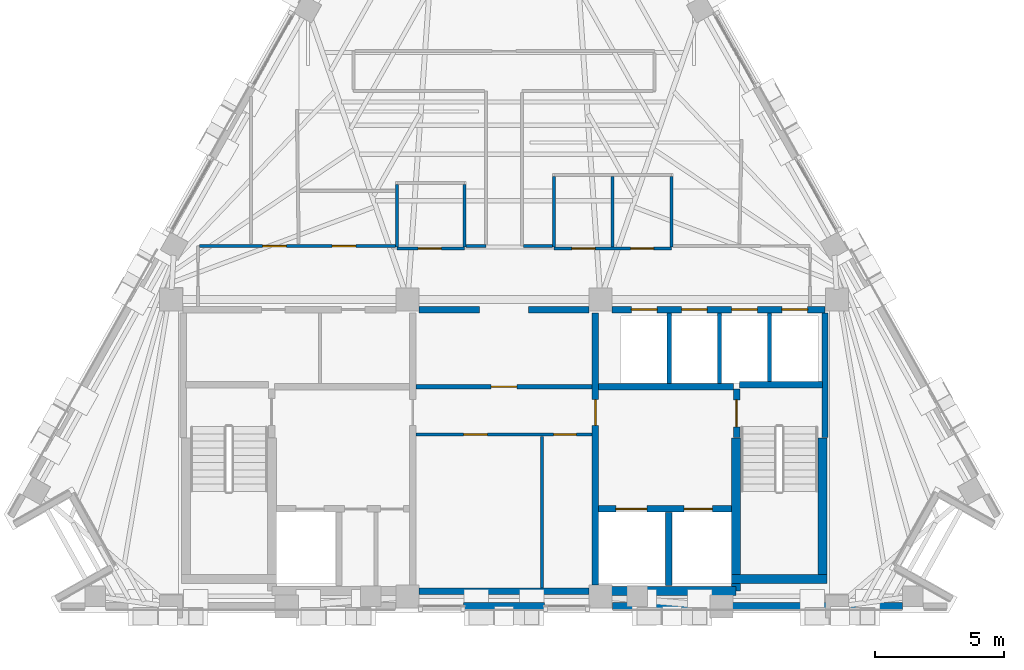
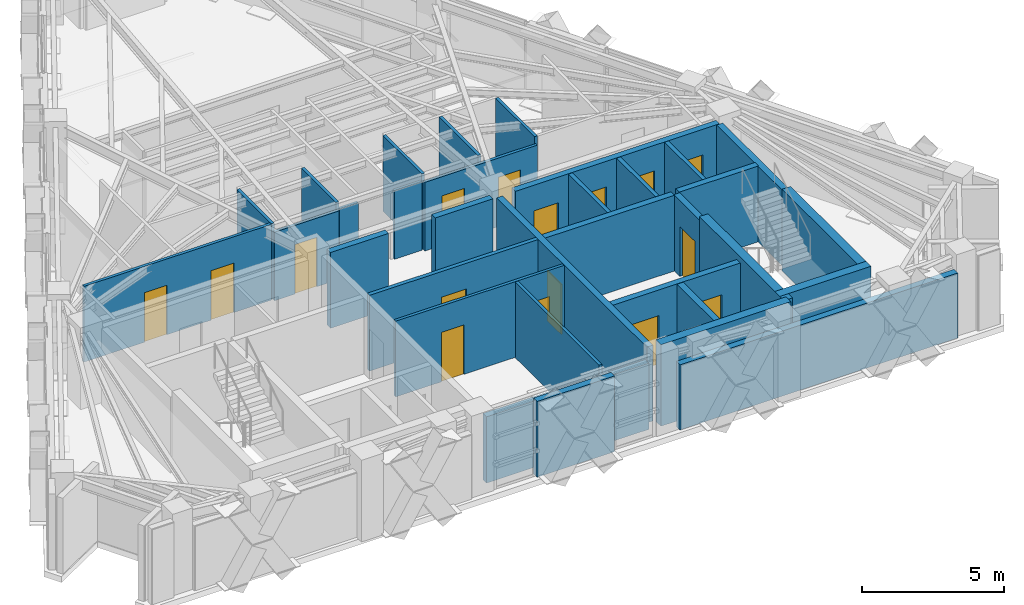
# One storey, part 7 of 11: 33 walls, 16 doors, 16 openings.
"""IFC4 building model written with IfcOpenShell, lengths in metres."""

from ifc_helpers import new_model, si_unit, direction, frame, frame_2d, origin, place, context, subcontext, project, spatial, rectangle, extrude, material, layer, layer_set, type_object, element, fill, save


model = new_model("IFC4")

# Units and contexts
model_context = context("Model", 3, precision=1e-05, world=origin(), true_north=direction((0.0, 1.0)))
body_context = subcontext(model_context, "Body", "Model", "MODEL_VIEW")
ifc_project = project(units=[si_unit("LENGTHUNIT", "METRE"), si_unit("AREAUNIT", "SQUARE_METRE"), si_unit("VOLUMEUNIT", "CUBIC_METRE"), si_unit("PLANEANGLEUNIT", "RADIAN"), si_unit("MASSUNIT", "GRAM", prefix="KILO")], contexts=[model_context])

# Site, building, storey
site_placement = place(None, origin())
site = spatial("IfcSite", under=ifc_project, at=site_placement, CompositionType="ELEMENT")
building_placement = place(site_placement, origin())
building = spatial("IfcBuilding", under=site, at=building_placement, Name="Quenlor Broadcast Tower", CompositionType="ELEMENT")
storey_placement = place(building_placement, frame((0.0, 0.0, 253.39990234375)))
storey = spatial("IfcBuildingStorey", under=building, at=storey_placement, Name="L70", CompositionType="ELEMENT", Elevation=253.39990234375)

# Walls
ifc_material_1 = material(Name="Concrete C50/60", Category="concrete")
ifc_layer_1 = layer(ifc_material_1, 0.35009765625)
ifc_layer_set_1 = layer_set([ifc_layer_1], Name="Core Concrete C50/60 Shear Wall 350")
wall_type_1 = type_object("IfcWallType", Name="Core Concrete C50/60 Shear Wall 350", PredefinedType="SHEAR", material=ifc_layer_set_1)
wall_1_placement = place(storey_placement, frame((3.75, -16.14990234375, 0.0), z_axis=(0.0, 0.0, 1.0), x_axis=(1.0, 0.0, 0.0)))
element("IfcWall", 1, at=wall_1_placement, inside=storey, type_object=wall_type_1, Name="L70 Core Shear Wall WS-E1", PredefinedType="SHEAR", context=body_context, shape_type="SweptSolid", body=[
    extrude(rectangle(XDim=5.27490234375, YDim=0.35009765625, at=frame_2d((2.637451171875, 0.0))), origin(), (0.0, 0.0, 1.0), 3.5),
])
wall_2_placement = place(storey_placement, frame((8.85009765625, -15.675048828125, 0.0), z_axis=(0.0, 0.0, 1.0), x_axis=(1.0, 0.0, 0.0)))
element("IfcWall", 2, at=wall_2_placement, inside=storey, type_object=wall_type_1, Name="L70 Core Shear Wall WS-E2", PredefinedType="SHEAR", context=body_context, shape_type="SweptSolid", body=[
    extrude(rectangle(XDim=3.699951171875, YDim=0.35009765625, at=frame_2d((1.85009765625, 0.0))), origin(), (0.0, 0.0, 1.0), 3.5),
])
wall_3_placement = place(storey_placement, frame((12.375, -15.675048828125, 0.0), z_axis=(0.0, 0.0, 1.0), x_axis=(0.0, 1.0, 0.0)))
element("IfcWall", 3, at=wall_3_placement, inside=storey, type_object=wall_type_1, Name="L70 Core Shear Wall WF-E", PredefinedType="SHEAR", context=body_context, shape_type="SweptSolid", body=[
    extrude(rectangle(XDim=5.47509765625, YDim=0.35009765625, at=frame_2d((2.737548828125, 0.0))), origin(), (0.0, 0.0, 1.0), 3.5),
])
wall_4_placement = place(storey_placement, frame((9.02490234375, -16.14990234375, 0.0), z_axis=(0.0, 0.0, 1.0), x_axis=(0.0, 1.0, 0.0)))
element("IfcWall", 4, at=wall_4_placement, inside=storey, type_object=wall_type_1, Name="L70 Core Shear Wall WI-E", PredefinedType="SHEAR", context=body_context, shape_type="SweptSolid", body=[
    extrude(rectangle(XDim=5.949951171875, YDim=0.35009765625, at=frame_2d((2.97509765625, 0.0))), origin(), (0.0, 0.0, 1.0), 3.5),
])

# Wall, opening, door
ifc_material_2 = material(Name="Concrete C40/50", Category="concrete")
ifc_layer_2 = layer(ifc_material_2, 0.25)
ifc_layer_set_2 = layer_set([ifc_layer_2], Name="Fire Rated Concrete C40/50 Core Wall 250")
wall_type_2 = type_object("IfcWallType", Name="Fire Rated Concrete C40/50 Core Wall 250", PredefinedType="PARTITIONING", material=ifc_layer_set_2)
wall_5_placement = place(storey_placement, frame((9.0400390625, -10.179931640625, 0.0), z_axis=(0.0, 0.0, 1.0), x_axis=(0.0, 1.0, 0.0)))
wall_5 = element("IfcWall", 5, at=wall_5_placement, inside=storey, type_object=wall_type_2, Name="L70 Interior Wall CW-ST2-DR", PredefinedType="PARTITIONING", context=body_context, shape_type="SweptSolid", body=[
    extrude(rectangle(XDim=1.89990234375, YDim=0.25, at=frame_2d((0.949951171875, 0.0))), origin(), (0.0, 0.0, 1.0), 3.25),
])
opening_1_placement = place(wall_5_placement, frame((0.419921875, 0.0, 0.0)))
opening_1 = element("IfcOpeningElement", 6, at=opening_1_placement, cuts=wall_5, Name="Opening FD-1", PredefinedType="OPENING", context=body_context, shape_type="SweptSolid", body=[
    extrude(rectangle(XDim=1.050048828125, YDim=2.14990234375, at=frame_2d((0.52490234375, 1.074951171875))), frame((0.0, 0.135009765625, 0.0), z_axis=(0.0, -1.0, 0.0), x_axis=(1.0, 0.0, 0.0)), (0.0, 0.0, 1.0), 0.27001953125),
])
ifc_material_3 = material(Name="Fire Rated Steel Door Leaf", Category="steel")
door_type_1 = type_object("IfcDoorType", Name="Fire Isolated Stair Door 1050x2150", OperationType="NOTDEFINED", PredefinedType="DOOR", material=ifc_material_3)
door_1_placement = place(opening_1_placement, origin())
door_1 = element("IfcDoor", 7, at=door_1_placement, inside=storey, type_object=door_type_1, Name="L70 Door DR-ST2", OperationType="SINGLE_SWING_RIGHT", OverallHeight=2.14990234375, OverallWidth=1.050048828125, PredefinedType="DOOR", context=body_context, shape_type="SweptSolid", body=[
    extrude(rectangle(XDim=1.050048828125, YDim=2.14990234375, at=frame_2d((0.52490234375, 1.074951171875))), frame((0.0, 0.02490234375, 0.0), z_axis=(0.0, -1.0, 0.0), x_axis=(1.0, 0.0, 0.0)), (0.0, 0.0, 1.0), 0.050048828125),
])
fill(opening_1, door_1)

# Walls
wall_6_placement = place(storey_placement, frame((9.159912109375, -8.1201171875, 0.0), z_axis=(0.0, 0.0, 1.0), x_axis=(1.0, 0.0, 0.0)))
element("IfcWall", 8, at=wall_6_placement, inside=storey, type_object=wall_type_2, Name="L70 Interior Wall CW-ST2-N", PredefinedType="PARTITIONING", context=body_context, shape_type="SweptSolid", body=[
    extrude(rectangle(XDim=3.219970703125, YDim=0.25, at=frame_2d((1.60986328125, 0.0))), origin(), (0.0, 0.0, 1.0), 3.25),
])
wall_7_placement = place(storey_placement, frame((12.47998046875, -10.179931640625, 0.0), z_axis=(0.0, 0.0, 1.0), x_axis=(0.0, 1.0, 0.0)))
element("IfcWall", 9, at=wall_7_placement, inside=storey, type_object=wall_type_2, Name="L70 Interior Wall CW-ST2-E2", PredefinedType="PARTITIONING", context=body_context, shape_type="SweptSolid", body=[
    extrude(rectangle(XDim=4.83984375, YDim=0.25, at=frame_2d((2.419921875, 0.0))), origin(), (0.0, 0.0, 1.0), 3.25),
])

# Wall, openings, doors
wall_8_placement = place(storey_placement, frame((3.679931640625, -12.949951171875, 0.0), z_axis=(0.0, 0.0, 1.0), x_axis=(1.0, 0.0, 0.0)))
wall_8 = element("IfcWall", 10, at=wall_8_placement, inside=storey, type_object=wall_type_2, Name="L70 Interior Wall CW-FFE-S", PredefinedType="PARTITIONING", context=body_context, shape_type="SweptSolid", body=[
    extrude(rectangle(XDim=5.16796875, YDim=0.25, at=frame_2d((2.583984375, 0.0))), origin(), (0.0, 0.0, 1.0), 3.25),
])
opening_2_placement = place(wall_8_placement, frame((3.320068359375, 0.0, 0.0)))
opening_2 = element("IfcOpeningElement", 11, at=opening_2_placement, cuts=wall_8, Name="Opening LD-FFL-2", PredefinedType="OPENING", context=body_context, shape_type="SweptSolid", body=[
    extrude(rectangle(XDim=1.10009765625, YDim=2.14990234375, at=frame_2d((0.550048828125, 1.074951171875))), frame((0.0, 0.135009765625, 0.0), z_axis=(0.0, -1.0, 0.0), x_axis=(1.0, 0.0, 0.0)), (0.0, 0.0, 1.0), 0.27001953125),
])
opening_3_placement = place(wall_8_placement, frame((0.669921875, 0.0, 0.0)))
opening_3 = element("IfcOpeningElement", 12, at=opening_3_placement, cuts=wall_8, Name="Opening LD-SVL-1", PredefinedType="OPENING", context=body_context, shape_type="SweptSolid", body=[
    extrude(rectangle(XDim=1.199951171875, YDim=2.14990234375, at=frame_2d((0.60009765625, 1.074951171875))), frame((0.0, 0.135009765625, 0.0), z_axis=(0.0, -1.0, 0.0), x_axis=(1.0, 0.0, 0.0)), (0.0, 0.0, 1.0), 0.27001953125),
])
ifc_material_4 = material(Name="Brushed Stainless Steel", Category="steel")
door_type_2 = type_object("IfcDoorType", Name="Emergency Lift Sliding Landing Door 1100x2150", OperationType="NOTDEFINED", PredefinedType="DOOR", material=ifc_material_4)
door_2_placement = place(opening_2_placement, origin())
door_2 = element("IfcDoor", 13, at=door_2_placement, inside=storey, type_object=door_type_2, Name="L70 Door LD-FFL-2", OperationType="SLIDING_TO_RIGHT", OverallHeight=2.14990234375, OverallWidth=1.10009765625, PredefinedType="DOOR", context=body_context, shape_type="SweptSolid", body=[
    extrude(rectangle(XDim=1.10009765625, YDim=2.14990234375, at=frame_2d((0.550048828125, 1.074951171875))), frame((0.0, 0.02490234375, 0.0), z_axis=(0.0, -1.0, 0.0), x_axis=(1.0, 0.0, 0.0)), (0.0, 0.0, 1.0), 0.050048828125),
])
fill(opening_2, door_2)
ifc_material_5 = material(Name="Brushed Stainless Steel", Category="steel")
door_type_3 = type_object("IfcDoorType", Name="Goods Lift Sliding Landing Door 1200x2150", OperationType="NOTDEFINED", PredefinedType="DOOR", material=ifc_material_5)
door_3_placement = place(opening_3_placement, origin())
door_3 = element("IfcDoor", 14, at=door_3_placement, inside=storey, type_object=door_type_3, Name="L70 Door LD-SVL-1", OperationType="SLIDING_TO_LEFT", OverallHeight=2.14990234375, OverallWidth=1.199951171875, PredefinedType="DOOR", context=body_context, shape_type="SweptSolid", body=[
    extrude(rectangle(XDim=1.199951171875, YDim=2.14990234375, at=frame_2d((0.60009765625, 1.074951171875))), frame((0.0, 0.02490234375, 0.0), z_axis=(0.0, -1.0, 0.0), x_axis=(1.0, 0.0, 0.0)), (0.0, 0.0, 1.0), 0.050048828125),
])
fill(opening_3, door_3)

# Walls
wall_9_placement = place(storey_placement, frame((6.39990234375, -15.919921875, 0.0), z_axis=(0.0, 0.0, 1.0), x_axis=(0.0, 1.0, 0.0)))
element("IfcWall", 15, at=wall_9_placement, inside=storey, type_object=wall_type_2, Name="L70 Interior Wall CW-SV1-E", PredefinedType="PARTITIONING", context=body_context, shape_type="SweptSolid", body=[
    extrude(rectangle(XDim=2.829833984375, YDim=0.25, at=frame_2d((1.4150390625, 0.0))), origin(), (0.0, 0.0, 1.0), 3.25),
])
wall_10_placement = place(storey_placement, frame((3.679931640625, -8.199951171875, 0.0), z_axis=(0.0, 0.0, 1.0), x_axis=(1.0, 0.0, 0.0)))
element("IfcWall", 16, at=wall_10_placement, inside=storey, type_object=wall_type_2, Name="L70 Interior Wall CW-FFE-N", PredefinedType="PARTITIONING", context=body_context, shape_type="SweptSolid", body=[
    extrude(rectangle(XDim=5.239990234375, YDim=0.25, at=frame_2d((2.6201171875, 0.0))), origin(), (0.0, 0.0, 1.0), 3.25),
])

# Wall, opening, door
wall_11_placement = place(storey_placement, frame((3.550048828125, -15.89794921875, 0.0), z_axis=(0.0, 0.0, 1.0), x_axis=(0.0, 1.0, 0.0)))
wall_11 = element("IfcWall", 17, at=wall_11_placement, inside=storey, type_object=wall_type_2, Name="L70 Interior Wall CW-FFE-W", PredefinedType="PARTITIONING", context=body_context, shape_type="SweptSolid", body=[
    extrude(rectangle(XDim=10.557861328125, YDim=0.25, at=frame_2d((5.27880859375, 0.0))), origin(), (0.0, 0.0, 1.0), 3.25),
])
opening_4_placement = place(wall_11_placement, frame((6.197998046875, 0.0, 0.0)))
opening_4 = element("IfcOpeningElement", 18, at=opening_4_placement, cuts=wall_11, Name="Opening FD-2", PredefinedType="OPENING", context=body_context, shape_type="SweptSolid", body=[
    extrude(rectangle(XDim=1.0, YDim=2.14990234375, at=frame_2d((0.5, 1.074951171875))), frame((0.0, 0.135009765625, 0.0), z_axis=(0.0, -1.0, 0.0), x_axis=(1.0, 0.0, 0.0)), (0.0, 0.0, 1.0), 0.27001953125),
])
ifc_material_6 = material(Name="Fire Rated Glazed Steel Door", Category="steel")
door_type_4 = type_object("IfcDoorType", Name="Firefighting Lobby Smoke Door 1000x2150", OperationType="NOTDEFINED", PredefinedType="DOOR", material=ifc_material_6)
door_4_placement = place(opening_4_placement, origin())
door_4 = element("IfcDoor", 19, at=door_4_placement, inside=storey, type_object=door_type_4, Name="L70 Door DR-FFLE", OperationType="SINGLE_SWING_LEFT", OverallHeight=2.14990234375, OverallWidth=1.0, PredefinedType="DOOR", context=body_context, shape_type="SweptSolid", body=[
    extrude(rectangle(XDim=1.0, YDim=2.14990234375, at=frame_2d((0.5, 1.074951171875))), frame((0.0, 0.02490234375, 0.0), z_axis=(0.0, -1.0, 0.0), x_axis=(1.0, 0.0, 0.0)), (0.0, 0.0, 1.0), 0.050048828125),
])
fill(opening_4, door_4)

# Wall, openings, doors
wall_12_placement = place(storey_placement, frame((4.201904296875, -5.199951171875, 0.0), z_axis=(0.0, 0.0, 1.0), x_axis=(1.0, 0.0, 0.0)))
wall_12 = element("IfcWall", 20, at=wall_12_placement, inside=storey, type_object=wall_type_2, Name="L70 Interior Wall CW-N-E", PredefinedType="PARTITIONING", context=body_context, shape_type="SweptSolid", body=[
    extrude(rectangle(XDim=8.278076171875, YDim=0.25, at=frame_2d((4.13916015625, 0.0))), origin(), (0.0, 0.0, 1.0), 3.25),
])
opening_5_placement = place(wall_12_placement, frame((0.748046875, 0.0, 0.0)))
opening_5 = element("IfcOpeningElement", 21, at=opening_5_placement, cuts=wall_12, Name="Opening LD-PL-H1", PredefinedType="OPENING", context=body_context, shape_type="SweptSolid", body=[
    extrude(rectangle(XDim=1.0, YDim=2.14990234375, at=frame_2d((0.5, 1.074951171875))), frame((0.0, 0.135009765625, 0.0), z_axis=(0.0, -1.0, 0.0), x_axis=(1.0, 0.0, 0.0)), (0.0, 0.0, 1.0), 0.27001953125),
])
opening_6_placement = place(wall_12_placement, frame((2.697998046875, 0.0, 0.0)))
opening_6 = element("IfcOpeningElement", 22, at=opening_6_placement, cuts=wall_12, Name="Opening LD-PL-H2", PredefinedType="OPENING", context=body_context, shape_type="SweptSolid", body=[
    extrude(rectangle(XDim=1.0, YDim=2.14990234375, at=frame_2d((0.5, 1.074951171875))), frame((0.0, 0.135009765625, 0.0), z_axis=(0.0, -1.0, 0.0), x_axis=(1.0, 0.0, 0.0)), (0.0, 0.0, 1.0), 0.27001953125),
])
opening_7_placement = place(wall_12_placement, frame((4.64794921875, 0.0, 0.0)))
opening_7 = element("IfcOpeningElement", 23, at=opening_7_placement, cuts=wall_12, Name="Opening LD-PL-H3", PredefinedType="OPENING", context=body_context, shape_type="SweptSolid", body=[
    extrude(rectangle(XDim=1.0, YDim=2.14990234375, at=frame_2d((0.5, 1.074951171875))), frame((0.0, 0.135009765625, 0.0), z_axis=(0.0, -1.0, 0.0), x_axis=(1.0, 0.0, 0.0)), (0.0, 0.0, 1.0), 0.27001953125),
])
opening_8_placement = place(wall_12_placement, frame((6.597900390625, 0.0, 0.0)))
opening_8 = element("IfcOpeningElement", 24, at=opening_8_placement, cuts=wall_12, Name="Opening LD-PL-H4", PredefinedType="OPENING", context=body_context, shape_type="SweptSolid", body=[
    extrude(rectangle(XDim=1.0, YDim=2.14990234375, at=frame_2d((0.5, 1.074951171875))), frame((0.0, 0.135009765625, 0.0), z_axis=(0.0, -1.0, 0.0), x_axis=(1.0, 0.0, 0.0)), (0.0, 0.0, 1.0), 0.27001953125),
])
ifc_material_7 = material(Name="Brushed Stainless Steel", Category="steel")
door_type_5 = type_object("IfcDoorType", Name="Passenger Lift Sliding Landing Door 1000x2150", OperationType="NOTDEFINED", PredefinedType="DOOR", material=ifc_material_7)
door_5_placement = place(opening_5_placement, origin())
door_5 = element("IfcDoor", 25, at=door_5_placement, inside=storey, type_object=door_type_5, Name="L70 Door LD-PL-H1", OperationType="SLIDING_TO_RIGHT", OverallHeight=2.14990234375, OverallWidth=1.0, PredefinedType="DOOR", context=body_context, shape_type="SweptSolid", body=[
    extrude(rectangle(XDim=1.0, YDim=2.14990234375, at=frame_2d((0.5, 1.074951171875))), frame((0.0, 0.02490234375, 0.0), z_axis=(0.0, -1.0, 0.0), x_axis=(1.0, 0.0, 0.0)), (0.0, 0.0, 1.0), 0.050048828125),
])
fill(opening_5, door_5)
door_6_placement = place(opening_6_placement, origin())
door_6 = element("IfcDoor", 26, at=door_6_placement, inside=storey, type_object=door_type_5, Name="L70 Door LD-PL-H2", OperationType="SLIDING_TO_RIGHT", OverallHeight=2.14990234375, OverallWidth=1.0, PredefinedType="DOOR", context=body_context, shape_type="SweptSolid", body=[
    extrude(rectangle(XDim=1.0, YDim=2.14990234375, at=frame_2d((0.5, 1.074951171875))), frame((0.0, 0.02490234375, 0.0), z_axis=(0.0, -1.0, 0.0), x_axis=(1.0, 0.0, 0.0)), (0.0, 0.0, 1.0), 0.050048828125),
])
fill(opening_6, door_6)
door_7_placement = place(opening_7_placement, origin())
door_7 = element("IfcDoor", 27, at=door_7_placement, inside=storey, type_object=door_type_5, Name="L70 Door LD-PL-H3", OperationType="SLIDING_TO_RIGHT", OverallHeight=2.14990234375, OverallWidth=1.0, PredefinedType="DOOR", context=body_context, shape_type="SweptSolid", body=[
    extrude(rectangle(XDim=1.0, YDim=2.14990234375, at=frame_2d((0.5, 1.074951171875))), frame((0.0, 0.02490234375, 0.0), z_axis=(0.0, -1.0, 0.0), x_axis=(1.0, 0.0, 0.0)), (0.0, 0.0, 1.0), 0.050048828125),
])
fill(opening_7, door_7)
door_8_placement = place(opening_8_placement, origin())
door_8 = element("IfcDoor", 28, at=door_8_placement, inside=storey, type_object=door_type_5, Name="L70 Door LD-PL-H4", OperationType="SLIDING_TO_RIGHT", OverallHeight=2.14990234375, OverallWidth=1.0, PredefinedType="DOOR", context=body_context, shape_type="SweptSolid", body=[
    extrude(rectangle(XDim=1.0, YDim=2.14990234375, at=frame_2d((0.5, 1.074951171875))), frame((0.0, 0.02490234375, 0.0), z_axis=(0.0, -1.0, 0.0), x_axis=(1.0, 0.0, 0.0)), (0.0, 0.0, 1.0), 0.050048828125),
])
fill(opening_8, door_8)

# Walls
for number, where, z_axis, x_axis, name in (
    (29, (-3.298095703125, -5.199951171875, 0.0), (0.0, 0.0, 1.0), (1.0, 0.0, 0.0), "L70 Interior Wall CW-N-M1"),
    (30, (0.949951171875, -5.199951171875, 0.0), (0.0, 0.0, 1.0), (1.0, 0.0, 0.0), "L70 Interior Wall CW-N-M2"),
):
    element("IfcWall", number, at=place(storey_placement, frame(where, z_axis=z_axis, x_axis=x_axis)), inside=storey, type_object=wall_type_2, Name=name, PredefinedType="PARTITIONING", context=body_context, shape_type="SweptSolid", body=[
        extrude(rectangle(XDim=2.34814453125, YDim=0.25, at=frame_2d((1.174072265625, 0.0))), origin(), (0.0, 0.0, 1.0), 3.25),
    ])
wall_13_placement = place(storey_placement, frame((-3.298095703125, -16.14990234375, 0.0), z_axis=(0.0, 0.0, 1.0), x_axis=(1.0, 0.0, 0.0)))
element("IfcWall", 31, at=wall_13_placement, inside=storey, type_object=wall_type_2, Name="L70 Interior Wall CW-MS-S", PredefinedType="PARTITIONING", context=body_context, shape_type="SweptSolid", body=[
    extrude(rectangle(XDim=6.59619140625, YDim=0.25, at=frame_2d((3.298095703125, 0.0))), origin(), (0.0, 0.0, 1.0), 2.84375),
])
ifc_material_8 = material(Name="Gypsum Fireboard Partition", Category="other")
ifc_layer_3 = layer(ifc_material_8, 0.159912109375)
ifc_layer_set_3 = layer_set([ifc_layer_3], Name="Fire Rated Shaft and Corridor Partition 160")
wall_type_3 = type_object("IfcWallType", Name="Fire Rated Shaft and Corridor Partition 160", PredefinedType="PARTITIONING", material=ifc_layer_set_3)
for number, where, z_axis, x_axis, name in (
    (32, (6.425048828125, -8.072998046875, 0.0), (0.0, 0.0, 1.0), (0.0, 1.0, 0.0), "L70 Interior Wall CW-PLH-D1"),
    (33, (8.375, -8.072998046875, 0.0), (0.0, 0.0, 1.0), (0.0, 1.0, 0.0), "L70 Interior Wall CW-PLH-D2"),
):
    element("IfcWall", number, at=place(storey_placement, frame(where, z_axis=z_axis, x_axis=x_axis)), inside=storey, type_object=wall_type_3, Name=name, PredefinedType="PARTITIONING", context=body_context, shape_type="SweptSolid", body=[
        extrude(rectangle(XDim=2.73291015625, YDim=0.159912109375, at=frame_2d((1.366455078125, 0.0))), origin(), (0.0, 0.0, 1.0), 3.25),
    ])
wall_14_placement = place(storey_placement, frame((10.324951171875, -7.992919921875, 0.0), z_axis=(0.0, 0.0, 1.0), x_axis=(0.0, 1.0, 0.0)))
element("IfcWall", 34, at=wall_14_placement, inside=storey, type_object=wall_type_3, Name="L70 Interior Wall CW-PLH-D3", PredefinedType="PARTITIONING", context=body_context, shape_type="SweptSolid", body=[
    extrude(rectangle(XDim=2.65283203125, YDim=0.159912109375, at=frame_2d((1.326416015625, 0.0))), origin(), (0.0, 0.0, 1.0), 3.25),
])

# Wall, opening, door
wall_15_placement = place(storey_placement, frame((-3.419921875, -8.199951171875, 0.0), z_axis=(0.0, 0.0, 1.0), x_axis=(1.0, 0.0, 0.0)))
wall_15 = element("IfcWall", 35, at=wall_15_placement, inside=storey, type_object=wall_type_3, Name="L70 Interior Wall CW-M-BACK", PredefinedType="PARTITIONING", context=body_context, shape_type="SweptSolid", body=[
    extrude(rectangle(XDim=6.83984375, YDim=0.159912109375, at=frame_2d((3.419921875, 0.0))), origin(), (0.0, 0.0, 1.0), 3.25),
])
opening_9_placement = place(wall_15_placement, frame((2.919921875, 0.0, 0.0)))
opening_9 = element("IfcOpeningElement", 36, at=opening_9_placement, cuts=wall_15, Name="Opening FD-2", PredefinedType="OPENING", context=body_context, shape_type="SweptSolid", body=[
    extrude(rectangle(XDim=1.0, YDim=2.14990234375, at=frame_2d((0.5, 1.074951171875))), frame((0.0, 0.08984375, 0.0), z_axis=(0.0, -1.0, 0.0), x_axis=(1.0, 0.0, 0.0)), (0.0, 0.0, 1.0), 0.179931640625),
])
door_9_placement = place(opening_9_placement, origin())
door_9 = element("IfcDoor", 37, at=door_9_placement, inside=storey, type_object=door_type_4, Name="L70 Door DR-CCRP", OperationType="SINGLE_SWING_LEFT", OverallHeight=2.14990234375, OverallWidth=1.0, PredefinedType="DOOR", context=body_context, shape_type="SweptSolid", body=[
    extrude(rectangle(XDim=1.0, YDim=2.14990234375, at=frame_2d((0.5, 1.074951171875))), frame((0.0, 0.02490234375, 0.0), z_axis=(0.0, -1.0, 0.0), x_axis=(1.0, 0.0, 0.0)), (0.0, 0.0, 1.0), 0.050048828125),
])
fill(opening_9, door_9)

# Wall, openings, doors
ifc_material_9 = material(Name="Gypsum Plasterboard Partition", Category="other")
ifc_layer_4 = layer(ifc_material_9, 0.1201171875)
ifc_layer_set_4 = layer_set([ifc_layer_4], Name="Standard Office Partition 120")
wall_type_4 = type_object("IfcWallType", Name="Standard Office Partition 120", PredefinedType="PARTITIONING", material=ifc_layer_set_4)
wall_16_placement = place(storey_placement, frame((-3.419921875, -10.050048828125, 0.0), z_axis=(0.0, 0.0, 1.0), x_axis=(1.0, 0.0, 0.0)))
wall_16 = element("IfcWall", 38, at=wall_16_placement, inside=storey, type_object=wall_type_4, Name="L70 Interior Wall CW-MS-N", PredefinedType="PARTITIONING", context=body_context, shape_type="SweptSolid", body=[
    extrude(rectangle(XDim=6.83984375, YDim=0.1201171875, at=frame_2d((3.419921875, 0.0))), origin(), (0.0, 0.0, 1.0), 3.25),
])
opening_10_placement = place(wall_16_placement, frame((1.85009765625, 0.0, 0.0)))
opening_10 = element("IfcOpeningElement", 39, at=opening_10_placement, cuts=wall_16, Name="Opening ID-1", PredefinedType="OPENING", context=body_context, shape_type="SweptSolid", body=[
    extrude(rectangle(XDim=0.919921875, YDim=2.1201171875, at=frame_2d((0.4599609375, 1.06005859375))), frame((0.0, 0.070068359375, 0.0), z_axis=(0.0, -1.0, 0.0), x_axis=(1.0, 0.0, 0.0)), (0.0, 0.0, 1.0), 0.14013671875),
])
opening_11_placement = place(wall_16_placement, frame((5.35009765625, 0.0, 0.0)))
opening_11 = element("IfcOpeningElement", 40, at=opening_11_placement, cuts=wall_16, Name="Opening ID-4", PredefinedType="OPENING", context=body_context, shape_type="SweptSolid", body=[
    extrude(rectangle(XDim=0.8798828125, YDim=2.1201171875, at=frame_2d((0.43994140625, 1.06005859375))), frame((0.0, 0.070068359375, 0.0), z_axis=(0.0, -1.0, 0.0), x_axis=(1.0, 0.0, 0.0)), (0.0, 0.0, 1.0), 0.14013671875),
])
ifc_material_10 = material(Name="Solid Core Timber Oak", Category="wood")
door_type_6 = type_object("IfcDoorType", Name="Service Closet Timber Door 880x2120", OperationType="NOTDEFINED", PredefinedType="DOOR", material=ifc_material_10)
door_10_placement = place(opening_11_placement, origin())
door_10 = element("IfcDoor", 41, at=door_10_placement, inside=storey, type_object=door_type_6, Name="L70 Door DR-RCMB", OperationType="SINGLE_SWING_RIGHT", OverallHeight=2.1201171875, OverallWidth=0.8798828125, PredefinedType="DOOR", context=body_context, shape_type="SweptSolid", body=[
    extrude(rectangle(XDim=0.8798828125, YDim=2.1201171875, at=frame_2d((0.43994140625, 1.06005859375))), frame((0.0, 0.02490234375, 0.0), z_axis=(0.0, -1.0, 0.0), x_axis=(1.0, 0.0, 0.0)), (0.0, 0.0, 1.0), 0.050048828125),
])
fill(opening_11, door_10)
ifc_material_11 = material(Name="Solid Core Timber Oak", Category="wood")
door_type_7 = type_object("IfcDoorType", Name="Single Leaf Timber Office Door 920x2120", OperationType="NOTDEFINED", PredefinedType="DOOR", material=ifc_material_11)
door_11_placement = place(opening_10_placement, origin())
door_11 = element("IfcDoor", 42, at=door_11_placement, inside=storey, type_object=door_type_7, Name="L70 Door DR-RCMA", OperationType="SINGLE_SWING_LEFT", OverallHeight=2.1201171875, OverallWidth=0.919921875, PredefinedType="DOOR", context=body_context, shape_type="SweptSolid", body=[
    extrude(rectangle(XDim=0.919921875, YDim=2.1201171875, at=frame_2d((0.4599609375, 1.06005859375))), frame((0.0, 0.02490234375, 0.0), z_axis=(0.0, -1.0, 0.0), x_axis=(1.0, 0.0, 0.0)), (0.0, 0.0, 1.0), 0.050048828125),
])
fill(opening_10, door_11)

# Wall
wall_17_placement = place(storey_placement, frame((1.47998046875, -16.02001953125, 0.0), z_axis=(0.0, 0.0, 1.0), x_axis=(0.0, 1.0, 0.0)))
element("IfcWall", 43, at=wall_17_placement, inside=storey, type_object=wall_type_4, Name="L70 Interior Wall CW-RCM-X2", PredefinedType="PARTITIONING", context=body_context, shape_type="SweptSolid", body=[
    extrude(rectangle(XDim=5.89013671875, YDim=0.1201171875, at=frame_2d((2.945068359375, 0.0))), origin(), (0.0, 0.0, 1.0), 3.25),
])

# Wall, opening, door
wall_18_placement = place(storey_placement, frame((-4.159912109375, -2.820068359375, 0.0), z_axis=(0.0, 0.0, 1.0), x_axis=(1.0, 0.0, 0.0)))
wall_18 = element("IfcWall", 44, at=wall_18_placement, inside=storey, type_object=wall_type_4, Name="L70 Interior Wall PW-AWC-S", PredefinedType="PARTITIONING", context=body_context, shape_type="SweptSolid", body=[
    extrude(rectangle(XDim=2.619873046875, YDim=0.1201171875, at=frame_2d((1.31005859375, 0.0))), origin(), (0.0, 0.0, 1.0), 2.94287109375),
])
opening_12_placement = place(wall_18_placement, frame((0.820068359375, 0.0, 0.0)))
opening_12 = element("IfcOpeningElement", 45, at=opening_12_placement, cuts=wall_18, Name="Opening ID-3", PredefinedType="OPENING", context=body_context, shape_type="SweptSolid", body=[
    extrude(rectangle(XDim=0.89990234375, YDim=2.1201171875, at=frame_2d((0.449951171875, 1.06005859375))), frame((0.0, 0.070068359375, 0.0), z_axis=(0.0, -1.0, 0.0), x_axis=(1.0, 0.0, 0.0)), (0.0, 0.0, 1.0), 0.14013671875),
])
ifc_material_12 = material(Name="Moisture Resistant Timber Oak", Category="wood")
door_type_8 = type_object("IfcDoorType", Name="Washroom Privacy Door 900x2120", OperationType="NOTDEFINED", PredefinedType="DOOR", material=ifc_material_12)
door_12_placement = place(opening_12_placement, origin())
door_12 = element("IfcDoor", 46, at=door_12_placement, inside=storey, type_object=door_type_8, Name="L70 Door DR-AWC", OperationType="SINGLE_SWING_LEFT", OverallHeight=2.1201171875, OverallWidth=0.89990234375, PredefinedType="DOOR", context=body_context, shape_type="SweptSolid", body=[
    extrude(rectangle(XDim=0.89990234375, YDim=2.1201171875, at=frame_2d((0.449951171875, 1.06005859375))), frame((0.0, 0.02490234375, 0.0), z_axis=(0.0, -1.0, 0.0), x_axis=(1.0, 0.0, 0.0)), (0.0, 0.0, 1.0), 0.050048828125),
])
fill(opening_12, door_12)

# Walls
for number, where, z_axis, x_axis, name in (
    (47, (-4.159912109375, -2.758056640625, 0.0), (0.0, 0.0, 1.0), (0.0, 1.0, 0.0), "L70 Interior Wall PW-AWC-W"),
    (48, (-1.5400390625, -2.758056640625, 0.0), (0.0, 0.0, 1.0), (0.0, 1.0, 0.0), "L70 Interior Wall PW-AWC-E"),
):
    element("IfcWall", number, at=place(storey_placement, frame(where, z_axis=z_axis, x_axis=x_axis)), inside=storey, type_object=wall_type_4, Name=name, PredefinedType="PARTITIONING", context=body_context, shape_type="SweptSolid", body=[
        extrude(rectangle(XDim=2.426025390625, YDim=0.1201171875, at=frame_2d((1.212890625, 0.0))), origin(), (0.0, 0.0, 1.0), 3.25),
    ])

# Wall, openings, doors
wall_19_placement = place(storey_placement, frame((1.93994140625, -2.820068359375, 0.0), z_axis=(0.0, 0.0, 1.0), x_axis=(1.0, 0.0, 0.0)))
wall_19 = element("IfcWall", 49, at=wall_19_placement, inside=storey, type_object=wall_type_4, Name="L70 Interior Wall PW-WC-S", PredefinedType="PARTITIONING", context=body_context, shape_type="SweptSolid", body=[
    extrude(rectangle(XDim=4.570068359375, YDim=0.1201171875, at=frame_2d((2.28515625, 0.0))), origin(), (0.0, 0.0, 1.0), 2.94287109375),
])
opening_13_placement = place(wall_19_placement, frame((0.699951171875, 0.0, 0.0)))
opening_13 = element("IfcOpeningElement", 50, at=opening_13_placement, cuts=wall_19, Name="Opening ID-3", PredefinedType="OPENING", context=body_context, shape_type="SweptSolid", body=[
    extrude(rectangle(XDim=0.89990234375, YDim=2.1201171875, at=frame_2d((0.449951171875, 1.06005859375))), frame((0.0, 0.070068359375, 0.0), z_axis=(0.0, -1.0, 0.0), x_axis=(1.0, 0.0, 0.0)), (0.0, 0.0, 1.0), 0.14013671875),
])
opening_14_placement = place(wall_19_placement, frame((2.97998046875, 0.0, 0.0)))
opening_14 = element("IfcOpeningElement", 51, at=opening_14_placement, cuts=wall_19, Name="Opening ID-3", PredefinedType="OPENING", context=body_context, shape_type="SweptSolid", body=[
    extrude(rectangle(XDim=0.89990234375, YDim=2.1201171875, at=frame_2d((0.449951171875, 1.06005859375))), frame((0.0, 0.070068359375, 0.0), z_axis=(0.0, -1.0, 0.0), x_axis=(1.0, 0.0, 0.0)), (0.0, 0.0, 1.0), 0.14013671875),
])
door_13_placement = place(opening_13_placement, origin())
door_13 = element("IfcDoor", 52, at=door_13_placement, inside=storey, type_object=door_type_8, Name="L70 Door DR-MWC", OperationType="SINGLE_SWING_LEFT", OverallHeight=2.1201171875, OverallWidth=0.89990234375, PredefinedType="DOOR", context=body_context, shape_type="SweptSolid", body=[
    extrude(rectangle(XDim=0.89990234375, YDim=2.1201171875, at=frame_2d((0.449951171875, 1.06005859375))), frame((0.0, 0.02490234375, 0.0), z_axis=(0.0, -1.0, 0.0), x_axis=(1.0, 0.0, 0.0)), (0.0, 0.0, 1.0), 0.050048828125),
])
fill(opening_13, door_13)
door_14_placement = place(opening_14_placement, origin())
door_14 = element("IfcDoor", 53, at=door_14_placement, inside=storey, type_object=door_type_8, Name="L70 Door DR-FWC", OperationType="SINGLE_SWING_RIGHT", OverallHeight=2.1201171875, OverallWidth=0.89990234375, PredefinedType="DOOR", context=body_context, shape_type="SweptSolid", body=[
    extrude(rectangle(XDim=0.89990234375, YDim=2.1201171875, at=frame_2d((0.449951171875, 1.06005859375))), frame((0.0, 0.02490234375, 0.0), z_axis=(0.0, -1.0, 0.0), x_axis=(1.0, 0.0, 0.0)), (0.0, 0.0, 1.0), 0.050048828125),
])
fill(opening_14, door_14)

# Walls
for number, where, z_axis, x_axis, name in (
    (54, (1.93994140625, -2.758056640625, 0.0), (0.0, 0.0, 1.0), (0.0, 1.0, 0.0), "L70 Interior Wall PW-WC-W"),
    (55, (4.219970703125, -2.758056640625, 0.0), (0.0, 0.0, 1.0), (0.0, 1.0, 0.0), "L70 Interior Wall PW-WC-M"),
    (56, (6.510009765625, -2.758056640625, 0.0), (0.0, 0.0, 1.0), (0.0, 1.0, 0.0), "L70 Interior Wall PW-WC-E"),
):
    element("IfcWall", number, at=place(storey_placement, frame(where, z_axis=z_axis, x_axis=x_axis)), inside=storey, type_object=wall_type_4, Name=name, PredefinedType="PARTITIONING", context=body_context, shape_type="SweptSolid", body=[
        extrude(rectangle(XDim=2.72607421875, YDim=0.1201171875, at=frame_2d((1.363037109375, 0.0))), origin(), (0.0, 0.0, 1.0), 3.25),
    ])

# Wall, openings, doors
wall_20_placement = place(storey_placement, frame((-11.837890625, -2.72998046875, 0.0), z_axis=(0.0, 0.0, 1.0), x_axis=(1.0, 0.0, 0.0)))
wall_20 = element("IfcWall", 57, at=wall_20_placement, inside=storey, type_object=wall_type_4, Name="L70 Interior Wall PW-CR-02", PredefinedType="PARTITIONING", context=body_context, shape_type="SweptSolid", body=[
    extrude(rectangle(XDim=7.615966796875, YDim=0.1201171875, at=frame_2d((3.80810546875, 0.0))), origin(), (0.0, 0.0, 1.0), 3.25),
])
opening_15_placement = place(wall_20_placement, frame((2.451904296875, 0.0, 0.0)))
opening_15 = element("IfcOpeningElement", 58, at=opening_15_placement, cuts=wall_20, Name="Opening ID-1", PredefinedType="OPENING", context=body_context, shape_type="SweptSolid", body=[
    extrude(rectangle(XDim=0.919921875, YDim=2.1201171875, at=frame_2d((0.4599609375, 1.06005859375))), frame((0.0, 0.070068359375, 0.0), z_axis=(0.0, -1.0, 0.0), x_axis=(1.0, 0.0, 0.0)), (0.0, 0.0, 1.0), 0.14013671875),
])
opening_16_placement = place(wall_20_placement, frame((5.156005859375, 0.0, 0.0)))
opening_16 = element("IfcOpeningElement", 59, at=opening_16_placement, cuts=wall_20, Name="Opening ID-1", PredefinedType="OPENING", context=body_context, shape_type="SweptSolid", body=[
    extrude(rectangle(XDim=0.919921875, YDim=2.1201171875, at=frame_2d((0.4599609375, 1.06005859375))), frame((0.0, 0.070068359375, 0.0), z_axis=(0.0, -1.0, 0.0), x_axis=(1.0, 0.0, 0.0)), (0.0, 0.0, 1.0), 0.14013671875),
])
door_15_placement = place(opening_15_placement, origin())
door_15 = element("IfcDoor", 60, at=door_15_placement, inside=storey, type_object=door_type_7, Name="L70 Door DR-RM02", OperationType="SINGLE_SWING_RIGHT", OverallHeight=2.1201171875, OverallWidth=0.919921875, PredefinedType="DOOR", context=body_context, shape_type="SweptSolid", body=[
    extrude(rectangle(XDim=0.919921875, YDim=2.1201171875, at=frame_2d((0.4599609375, 1.06005859375))), frame((0.0, 0.02490234375, 0.0), z_axis=(0.0, -1.0, 0.0), x_axis=(1.0, 0.0, 0.0)), (0.0, 0.0, 1.0), 0.050048828125),
])
fill(opening_15, door_15)
door_16_placement = place(opening_16_placement, origin())
door_16 = element("IfcDoor", 61, at=door_16_placement, inside=storey, type_object=door_type_7, Name="L70 Door DR-RM04", OperationType="SINGLE_SWING_RIGHT", OverallHeight=2.1201171875, OverallWidth=0.919921875, PredefinedType="DOOR", context=body_context, shape_type="SweptSolid", body=[
    extrude(rectangle(XDim=0.919921875, YDim=2.1201171875, at=frame_2d((0.4599609375, 1.06005859375))), frame((0.0, 0.02490234375, 0.0), z_axis=(0.0, -1.0, 0.0), x_axis=(1.0, 0.0, 0.0)), (0.0, 0.0, 1.0), 0.050048828125),
])
fill(opening_16, door_16)

# Walls
wall_21_placement = place(storey_placement, frame((-1.47802734375, -2.72998046875, 0.0), z_axis=(0.0, 0.0, 1.0), x_axis=(1.0, 0.0, 0.0)))
element("IfcWall", 62, at=wall_21_placement, inside=storey, type_object=wall_type_4, Name="L70 Interior Wall PW-CR-04", PredefinedType="PARTITIONING", context=body_context, shape_type="SweptSolid", body=[
    extrude(rectangle(XDim=0.778076171875, YDim=0.1201171875, at=frame_2d((0.38916015625, 0.0))), origin(), (0.0, 0.0, 1.0), 2.94287109375),
])
wall_22_placement = place(storey_placement, frame((0.761962890625, -2.72998046875, 0.0), z_axis=(0.0, 0.0, 1.0), x_axis=(1.0, 0.0, 0.0)))
element("IfcWall", 63, at=wall_22_placement, inside=storey, type_object=wall_type_4, Name="L70 Interior Wall PW-CR-12", PredefinedType="PARTITIONING", context=body_context, shape_type="SweptSolid", body=[
    extrude(rectangle(XDim=1.115966796875, YDim=0.1201171875, at=frame_2d((0.55810546875, 0.0))), origin(), (0.0, 0.0, 1.0), 2.94287109375),
])
ifc_material_13 = material(Name="Precast concrete C40/50", Category="concrete")
ifc_layer_5 = layer(ifc_material_13, 0.260009765625)
ifc_layer_set_5 = layer_set([ifc_layer_5], Name="Terracotta Precast Concrete C40/50 Upper Wall 260")
wall_type_5 = type_object("IfcWallType", Name="Terracotta Precast Concrete C40/50 Upper Wall 260", PredefinedType="STANDARD", material=ifc_layer_set_5)
wall_23_placement = place(storey_placement, frame((15.49267578125, -16.72509765625, 0.0), z_axis=(0.0, 0.0, 1.0), x_axis=(-1.0, 0.0, 0.0)))
element("IfcWall", 64, at=wall_23_placement, inside=storey, type_object=wall_type_5, Name="L70 Exterior Wall L70-EW-SA", PredefinedType="STANDARD", context=body_context, shape_type="SweptSolid", body=[
    extrude(rectangle(XDim=11.272705078125, YDim=0.260009765625, at=frame_2d((5.63623046875, 0.0))), origin(), (0.0, 0.0, 1.0), 2.789794921875),
])
wall_24_placement = place(storey_placement, frame((1.571533203125, -16.72509765625, 0.0), z_axis=(0.0, 0.0, 1.0), x_axis=(-1.0, 0.0, 0.0)))
element("IfcWall", 65, at=wall_24_placement, inside=storey, type_object=wall_type_5, Name="L70 Exterior Wall L70-S-SP1", PredefinedType="STANDARD", context=body_context, shape_type="SweptSolid", body=[
    extrude(rectangle(XDim=3.14306640625, YDim=0.260009765625, at=frame_2d((1.571533203125, 0.0))), origin(), (0.0, 0.0, 1.0), 3.25),
])

save(model, "model.ifc")
